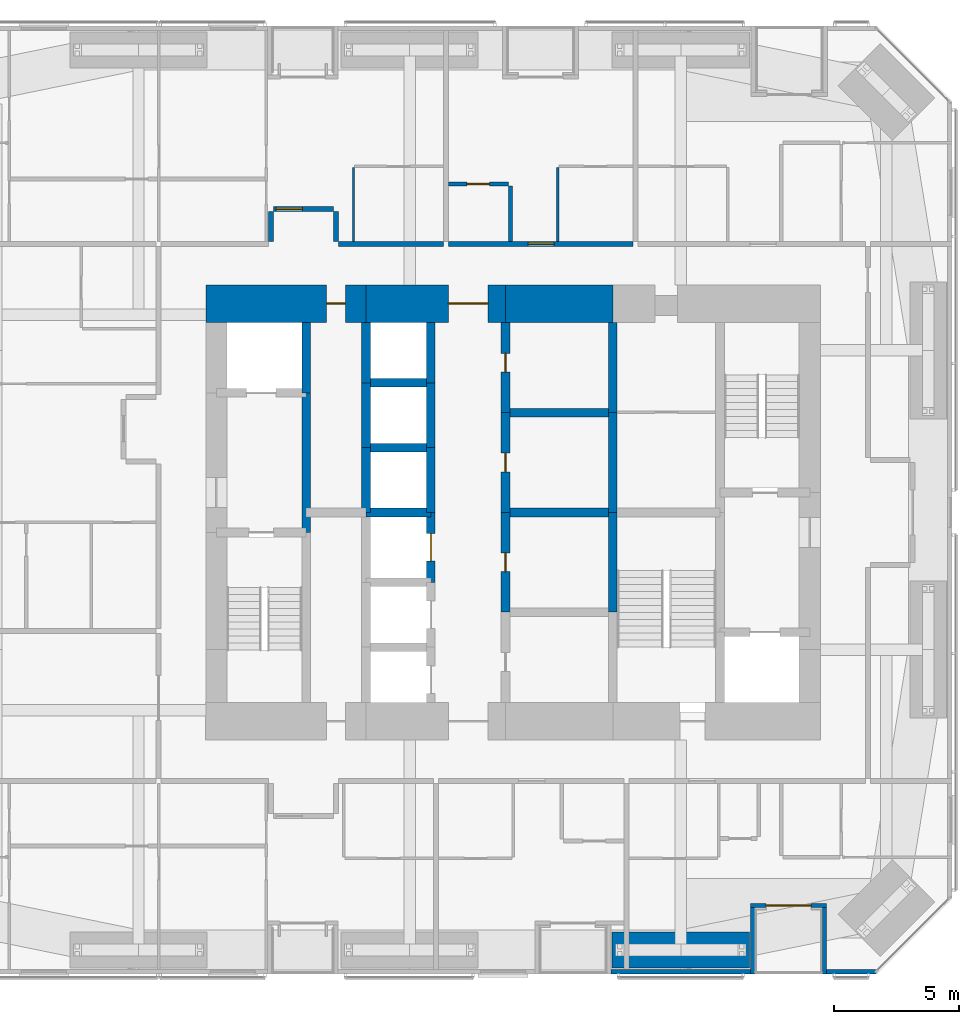
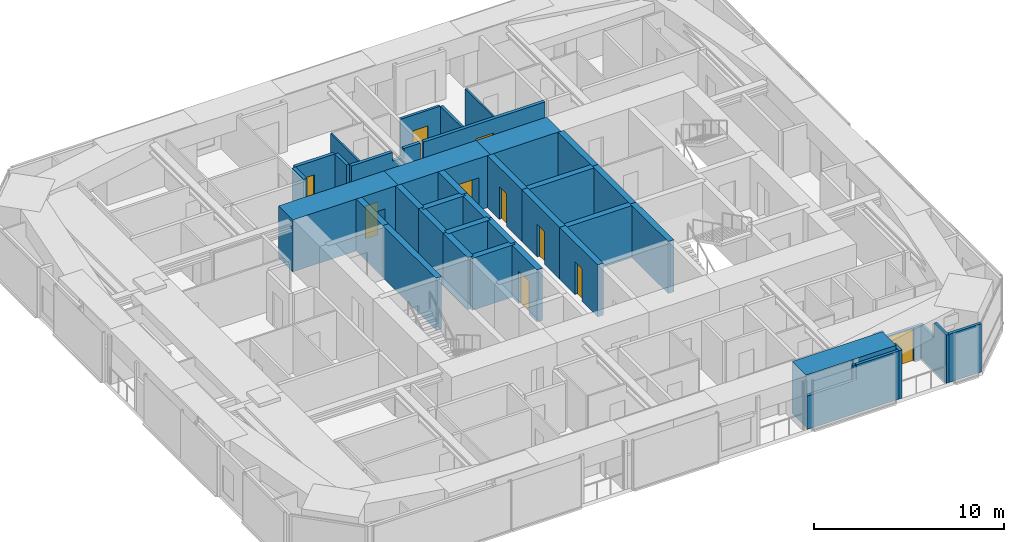
# One storey, part 20 of 25: 39 walls, 10 doors, 10 openings.
"""IFC4 building model written with IfcOpenShell, lengths in metres."""

from ifc_helpers import new_model, si_unit, direction, frame, frame_2d, origin, place, context, subcontext, project, spatial, polyline, rectangle, outline, extrude, material, layer, layer_set, constituent, constituent_set, type_object, element, fill, save


model = new_model("IFC4")

# Units and contexts
model_context = context("Model", 3, precision=1e-05, world=origin(), true_north=direction((0.0, 1.0)))
body_context = subcontext(model_context, "Body", "Model", "MODEL_VIEW")
ifc_project = project(units=[si_unit("LENGTHUNIT", "METRE"), si_unit("AREAUNIT", "SQUARE_METRE"), si_unit("VOLUMEUNIT", "CUBIC_METRE"), si_unit("PLANEANGLEUNIT", "RADIAN"), si_unit("MASSUNIT", "GRAM", prefix="KILO")], contexts=[model_context])

# Site, building, storey
site_placement = place(None, origin())
site = spatial("IfcSite", under=ifc_project, at=site_placement, CompositionType="ELEMENT")
building_placement = place(site_placement, origin())
building = spatial("IfcBuilding", under=site, at=building_placement, Name="Jalousie Tower", CompositionType="ELEMENT")
storey_placement = place(building_placement, frame((0.0, 0.0, 101.5)))
storey = spatial("IfcBuildingStorey", under=building, at=storey_placement, Name="L27", CompositionType="ELEMENT", Elevation=101.5)

# Wall, opening, door
ifc_material_1 = material(Name="Concrete block ASTM C90", Category="concrete")
ifc_constituent_1 = constituent(ifc_material_1, Name="Body")
ifc_material_2 = material(Name="Render")
ifc_constituent_2 = constituent(ifc_material_2, Name="Finish")
ifc_constituent_set_1 = constituent_set(constituents=[ifc_constituent_1, ifc_constituent_2])
wall_type_1 = type_object("IfcWallType", Name="BATHROOM WALL 150", PredefinedType="PLUMBINGWALL", material=ifc_constituent_set_1)
wall_1_placement = place(storey_placement, frame((29.300048828125, 31.675048828125, 0.0), z_axis=(0.0, 0.0, 1.0), x_axis=(1.0, 0.0, 0.0)))
wall_1 = element("IfcWall", 1, at=wall_1_placement, inside=storey, type_object=wall_type_1, Name="Bathroom Wall 150 L27", PredefinedType="PLUMBINGWALL", context=body_context, shape_type="SweptSolid", body=[
    extrude(rectangle(XDim=2.425048828125, YDim=0.14990234375, at=frame_2d((1.21240234375, 0.0))), origin(), (0.0, 0.0, 1.0), 3.110107421875),
])
opening_1_placement = place(wall_1_placement, frame((0.75, 0.0, 0.0)))
opening_1 = element("IfcOpeningElement", 2, at=opening_1_placement, cuts=wall_1, Name="Opening D3", PredefinedType="OPENING", context=body_context, shape_type="SweptSolid", body=[
    extrude(rectangle(XDim=0.89990234375, YDim=2.10009765625, at=frame_2d((0.449951171875, 1.050048828125))), frame((0.0, 0.0849609375, 0.0), z_axis=(0.0, -1.0, 0.0), x_axis=(1.0, 0.0, 0.0)), (0.0, 0.0, 1.0), 0.169921875),
])
ifc_material_3 = material(Name="Timber door", Category="wood")
door_type_1 = type_object("IfcDoorType", Name="BATHROOM DOOR 900", OperationType="SINGLE_SWING_LEFT", PredefinedType="DOOR", material=ifc_material_3)
door_1_placement = place(opening_1_placement, frame((0.89990234375, 0.0, 0.0), z_axis=(0.0, 0.0, 1.0), x_axis=(-1.0, 0.0, 0.0)))
door_1 = element("IfcDoor", 3, at=door_1_placement, inside=storey, type_object=door_type_1, Name="Apartment 2705 bathroom door", OperationType="SINGLE_SWING_RIGHT", OverallHeight=2.10009765625, OverallWidth=0.89990234375, PredefinedType="DOOR", context=body_context, shape_type="SweptSolid", body=[
    extrude(rectangle(XDim=0.89990234375, YDim=2.10009765625, at=frame_2d((0.449951171875, 1.050048828125))), frame((0.0, 0.02490234375, 0.0), z_axis=(0.0, -1.0, 0.0), x_axis=(1.0, 0.0, 0.0)), (0.0, 0.0, 1.0), 0.050048828125),
])
fill(opening_1, door_1)

# Walls
wall_2_placement = place(storey_placement, frame((31.800048828125, 31.60009765625, 0.0), z_axis=(0.0, 0.0, 1.0), x_axis=(0.0, -1.0, 0.0)))
element("IfcWall", 4, at=wall_2_placement, inside=storey, type_object=wall_type_1, Name="Bathroom Wall 150 L27", PredefinedType="PLUMBINGWALL", context=body_context, shape_type="SweptSolid", body=[
    extrude(rectangle(XDim=2.22509765625, YDim=0.14990234375, at=frame_2d((1.112548828125, 0.0))), origin(), (0.0, 0.0, 1.0), 3.110107421875),
])
ifc_material_4 = material(Name="Concrete f'c 120 MPa", Category="concrete")
ifc_layer_1 = layer(ifc_material_4, 1.5)
ifc_layer_set_1 = layer_set([ifc_layer_1], Name="Concrete f'c 120 MPa")
wall_type_2 = type_object("IfcWallType", Name="CORE WALL 1500", PredefinedType="SHEAR", material=ifc_layer_set_1)
wall_3_placement = place(storey_placement, frame((35.89990234375, 26.875, 0.0), z_axis=(0.0, 0.0, 1.0), x_axis=(-1.0, 0.0, 0.0)))
element("IfcWall", 5, at=wall_3_placement, inside=storey, type_object=wall_type_2, Name="Core wall NB L27", PredefinedType="SHEAR", context=body_context, shape_type="SweptSolid", body=[
    extrude(rectangle(XDim=4.2998046875, YDim=1.5, at=frame_2d((2.14990234375, 0.0))), origin(), (0.0, 0.0, 1.0), 3.35009765625),
])

# Wall, opening, door
wall_4_placement = place(storey_placement, frame((31.60009765625, 26.875, 0.0), z_axis=(0.0, 0.0, 1.0), x_axis=(-1.0, 0.0, 0.0)))
wall_4 = element("IfcWall", 6, at=wall_4_placement, inside=storey, type_object=wall_type_2, Name="Core wall NC L27", PredefinedType="SHEAR", context=body_context, shape_type="SweptSolid", body=[
    extrude(rectangle(XDim=5.60009765625, YDim=1.5, at=frame_2d((2.800048828125, 0.0))), origin(), (0.0, 0.0, 1.0), 3.35009765625),
])
opening_2_placement = place(wall_4_placement, frame((0.699951171875, 0.0, 0.0)))
opening_2 = element("IfcOpeningElement", 7, at=opening_2_placement, cuts=wall_4, Name="Opening D15", PredefinedType="OPENING", context=body_context, shape_type="SweptSolid", body=[
    extrude(rectangle(XDim=1.60009765625, YDim=2.10009765625, at=frame_2d((0.800048828125, 1.050048828125))), frame((0.0, 0.760009765625, 0.0), z_axis=(0.0, -1.0, 0.0), x_axis=(1.0, 0.0, 0.0)), (0.0, 0.0, 1.0), 1.52001953125),
])
ifc_material_5 = material(Name="Steel fire door", Category="steel")
door_type_2 = type_object("IfcDoorType", Name="LIFT LOBBY DOOR 1600", OperationType="DOUBLE_DOOR_SINGLE_SWING", PredefinedType="DOOR", material=ifc_material_5)
door_2_placement = place(opening_2_placement, origin())
door_2 = element("IfcDoor", 8, at=door_2_placement, inside=storey, type_object=door_type_2, Name="Lift lobby north door", OperationType="DOUBLE_DOOR_SINGLE_SWING", OverallHeight=2.10009765625, OverallWidth=1.60009765625, PredefinedType="DOOR", context=body_context, shape_type="SweptSolid", body=[
    extrude(rectangle(XDim=1.60009765625, YDim=2.10009765625, at=frame_2d((0.800048828125, 1.050048828125))), frame((0.0, 0.02490234375, 0.0), z_axis=(0.0, -1.0, 0.0), x_axis=(1.0, 0.0, 0.0)), (0.0, 0.0, 1.0), 0.050048828125),
])
fill(opening_2, door_2)

wall_5_placement = place(storey_placement, frame((26.0, 26.875, 0.0), z_axis=(0.0, 0.0, 1.0), x_axis=(-1.0, 0.0, 0.0)))
wall_5 = element("IfcWall", 9, at=wall_5_placement, inside=storey, type_object=wall_type_2, Name="Core wall ND L27", PredefinedType="SHEAR", context=body_context, shape_type="SweptSolid", body=[
    extrude(rectangle(XDim=6.425048828125, YDim=1.5, at=frame_2d((3.21240234375, 0.0))), origin(), (0.0, 0.0, 1.0), 3.35009765625),
])
opening_3_placement = place(wall_5_placement, frame((0.824951171875, 0.0, 0.0)))
opening_3 = element("IfcOpeningElement", 10, at=opening_3_placement, cuts=wall_5, Name="Opening D16", PredefinedType="OPENING", context=body_context, shape_type="SweptSolid", body=[
    extrude(rectangle(XDim=0.75, YDim=2.10009765625, at=frame_2d((0.375, 1.050048828125))), frame((0.0, 0.760009765625, 0.0), z_axis=(0.0, -1.0, 0.0), x_axis=(1.0, 0.0, 0.0)), (0.0, 0.0, 1.0), 1.52001953125),
])
ifc_material_6 = material(Name="Steel fire door", Category="steel")
door_type_3 = type_object("IfcDoorType", Name="RISER DOOR 750", OperationType="SINGLE_SWING_LEFT", PredefinedType="DOOR", material=ifc_material_6)
door_3_placement = place(opening_3_placement, origin())
door_3 = element("IfcDoor", 11, at=door_3_placement, inside=storey, type_object=door_type_3, Name="North riser door", OperationType="SINGLE_SWING_RIGHT", OverallHeight=2.10009765625, OverallWidth=0.75, PredefinedType="DOOR", context=body_context, shape_type="SweptSolid", body=[
    extrude(rectangle(XDim=0.75, YDim=2.10009765625, at=frame_2d((0.375, 1.050048828125))), frame((0.0, 0.02490234375, 0.0), z_axis=(0.0, -1.0, 0.0), x_axis=(1.0, 0.0, 0.0)), (0.0, 0.0, 1.0), 0.050048828125),
])
fill(opening_3, door_3)

# Walls
ifc_material_7 = material(Name="Concrete f'c 120 MPa", Category="concrete")
ifc_layer_2 = layer(ifc_material_7, 0.35009765625)
ifc_layer_set_2 = layer_set([ifc_layer_2], Name="Concrete f'c 120 MPa")
wall_type_3 = type_object("IfcWallType", Name="CORE WALL 350", PredefinedType="SHEAR", material=ifc_layer_set_2)
wall_6_placement = place(storey_placement, frame((23.60009765625, 17.699951171875, 0.0), z_axis=(0.0, 0.0, 1.0), x_axis=(0.0, 1.0, 0.0)))
element("IfcWall", 12, at=wall_6_placement, inside=storey, type_object=wall_type_3, Name="Core wall X23.6B L27", PredefinedType="SHEAR", context=body_context, shape_type="SweptSolid", body=[
    extrude(rectangle(XDim=5.60009765625, YDim=0.35009765625, at=frame_2d((2.800048828125, 0.0))), origin(), (0.0, 0.0, 1.0), 3.35009765625),
])
wall_7_placement = place(storey_placement, frame((23.60009765625, 23.300048828125, 0.0), z_axis=(0.0, 0.0, 1.0), x_axis=(0.0, 1.0, 0.0)))
element("IfcWall", 13, at=wall_7_placement, inside=storey, type_object=wall_type_3, Name="Core wall X23.6C L27", PredefinedType="SHEAR", context=body_context, shape_type="SweptSolid", body=[
    extrude(rectangle(XDim=2.824951171875, YDim=0.35009765625, at=frame_2d((1.41259765625, 0.0))), origin(), (0.0, 0.0, 1.0), 3.35009765625),
])
wall_8_placement = place(storey_placement, frame((26.0, 18.5, 0.0), z_axis=(0.0, 0.0, 1.0), x_axis=(0.0, 1.0, 0.0)))
element("IfcWall", 14, at=wall_8_placement, inside=storey, type_object=wall_type_3, Name="Core wall X26D L27", PredefinedType="SHEAR", context=body_context, shape_type="SweptSolid", body=[
    extrude(rectangle(XDim=2.60009765625, YDim=0.35009765625, at=frame_2d((1.300048828125, 0.0))), origin(), (0.0, 0.0, 1.0), 3.35009765625),
])
wall_9_placement = place(storey_placement, frame((26.0, 21.10009765625, 0.0), z_axis=(0.0, 0.0, 1.0), x_axis=(0.0, 1.0, 0.0)))
element("IfcWall", 15, at=wall_9_placement, inside=storey, type_object=wall_type_3, Name="Core wall X26E L27", PredefinedType="SHEAR", context=body_context, shape_type="SweptSolid", body=[
    extrude(rectangle(XDim=2.599853515625, YDim=0.35009765625, at=frame_2d((1.2998046875, 0.0))), origin(), (0.0, 0.0, 1.0), 3.35009765625),
])
wall_10_placement = place(storey_placement, frame((26.0, 23.699951171875, 0.0), z_axis=(0.0, 0.0, 1.0), x_axis=(0.0, 1.0, 0.0)))
element("IfcWall", 16, at=wall_10_placement, inside=storey, type_object=wall_type_3, Name="Core wall X26F L27", PredefinedType="SHEAR", context=body_context, shape_type="SweptSolid", body=[
    extrude(rectangle(XDim=2.425048828125, YDim=0.35009765625, at=frame_2d((1.21240234375, 0.0))), origin(), (0.0, 0.0, 1.0), 3.35009765625),
])

# Wall, opening, door
wall_11_placement = place(storey_placement, frame((28.60009765625, 15.699951171875, 0.0), z_axis=(0.0, 0.0, 1.0), x_axis=(0.0, 1.0, 0.0)))
wall_11 = element("IfcWall", 17, at=wall_11_placement, inside=storey, type_object=wall_type_3, Name="Core wall X28.6C L27", PredefinedType="SHEAR", context=body_context, shape_type="SweptSolid", body=[
    extrude(rectangle(XDim=2.800048828125, YDim=0.35009765625, at=frame_2d((1.39990234375, 0.0))), origin(), (0.0, 0.0, 1.0), 3.35009765625),
])
opening_4_placement = place(wall_11_placement, frame((0.85009765625, 0.0, 0.0)))
opening_4 = element("IfcOpeningElement", 18, at=opening_4_placement, cuts=wall_11, Name="Opening LD1", PredefinedType="OPENING", context=body_context, shape_type="SweptSolid", body=[
    extrude(rectangle(XDim=1.10009765625, YDim=2.10009765625, at=frame_2d((0.550048828125, 1.050048828125))), frame((0.0, 0.18505859375, 0.0), z_axis=(0.0, -1.0, 0.0), x_axis=(1.0, 0.0, 0.0)), (0.0, 0.0, 1.0), 0.3701171875),
])
ifc_material_8 = material(Name="Steel lift landing door", Category="steel")
door_type_4 = type_object("IfcDoorType", Name="LIFT LANDING DOOR 1100", OperationType="SLIDING_TO_LEFT", PredefinedType="DOOR", material=ifc_material_8)
door_4_placement = place(opening_4_placement, origin())
door_4 = element("IfcDoor", 19, at=door_4_placement, inside=storey, type_object=door_type_4, Name="Lift P3 landing door", OperationType="SLIDING_TO_LEFT", OverallHeight=2.10009765625, OverallWidth=1.10009765625, PredefinedType="DOOR", context=body_context, shape_type="SweptSolid", body=[
    extrude(rectangle(XDim=1.10009765625, YDim=2.10009765625, at=frame_2d((0.550048828125, 1.050048828125))), frame((0.0, 0.02490234375, 0.0), z_axis=(0.0, -1.0, 0.0), x_axis=(1.0, 0.0, 0.0)), (0.0, 0.0, 1.0), 0.050048828125),
])
fill(opening_4, door_4)

# Walls
wall_12_placement = place(storey_placement, frame((28.60009765625, 18.5, 0.0), z_axis=(0.0, 0.0, 1.0), x_axis=(0.0, 1.0, 0.0)))
element("IfcWall", 20, at=wall_12_placement, inside=storey, type_object=wall_type_3, Name="Core wall X28.6D L27", PredefinedType="SHEAR", context=body_context, shape_type="SweptSolid", body=[
    extrude(rectangle(XDim=2.60009765625, YDim=0.35009765625, at=frame_2d((1.300048828125, 0.0))), origin(), (0.0, 0.0, 1.0), 3.35009765625),
])
wall_13_placement = place(storey_placement, frame((28.60009765625, 21.10009765625, 0.0), z_axis=(0.0, 0.0, 1.0), x_axis=(0.0, 1.0, 0.0)))
element("IfcWall", 21, at=wall_13_placement, inside=storey, type_object=wall_type_3, Name="Core wall X28.6E L27", PredefinedType="SHEAR", context=body_context, shape_type="SweptSolid", body=[
    extrude(rectangle(XDim=2.599853515625, YDim=0.35009765625, at=frame_2d((1.2998046875, 0.0))), origin(), (0.0, 0.0, 1.0), 3.35009765625),
])
wall_14_placement = place(storey_placement, frame((28.60009765625, 23.699951171875, 0.0), z_axis=(0.0, 0.0, 1.0), x_axis=(0.0, 1.0, 0.0)))
element("IfcWall", 22, at=wall_14_placement, inside=storey, type_object=wall_type_3, Name="Core wall X28.6F L27", PredefinedType="SHEAR", context=body_context, shape_type="SweptSolid", body=[
    extrude(rectangle(XDim=2.425048828125, YDim=0.35009765625, at=frame_2d((1.21240234375, 0.0))), origin(), (0.0, 0.0, 1.0), 3.35009765625),
])

# Wall, opening, door
wall_15_placement = place(storey_placement, frame((31.60009765625, 14.5, 0.0), z_axis=(0.0, 0.0, 1.0), x_axis=(0.0, 1.0, 0.0)))
wall_15 = element("IfcWall", 23, at=wall_15_placement, inside=storey, type_object=wall_type_3, Name="Core wall X31.6B L27", PredefinedType="SHEAR", context=body_context, shape_type="SweptSolid", body=[
    extrude(rectangle(XDim=4.0, YDim=0.35009765625, at=frame_2d((2.0, 0.0))), origin(), (0.0, 0.0, 1.0), 3.35009765625),
])
opening_5_placement = place(wall_15_placement, frame((1.625, 0.0, 0.0)))
opening_5 = element("IfcOpeningElement", 24, at=opening_5_placement, cuts=wall_15, Name="Opening D16", PredefinedType="OPENING", context=body_context, shape_type="SweptSolid", body=[
    extrude(rectangle(XDim=0.75, YDim=2.10009765625, at=frame_2d((0.375, 1.050048828125))), frame((0.0, 0.18505859375, 0.0), z_axis=(0.0, -1.0, 0.0), x_axis=(1.0, 0.0, 0.0)), (0.0, 0.0, 1.0), 0.3701171875),
])
door_5_placement = place(opening_5_placement, frame((0.75, 0.0, 0.0), z_axis=(0.0, 0.0, 1.0), x_axis=(-1.0, 0.0, 0.0)))
door_5 = element("IfcDoor", 25, at=door_5_placement, inside=storey, type_object=door_type_3, Name="Electrical Room door", OperationType="SINGLE_SWING_RIGHT", OverallHeight=2.10009765625, OverallWidth=0.75, PredefinedType="DOOR", context=body_context, shape_type="SweptSolid", body=[
    extrude(rectangle(XDim=0.75, YDim=2.10009765625, at=frame_2d((0.375, 1.050048828125))), frame((0.0, 0.02490234375, 0.0), z_axis=(0.0, -1.0, 0.0), x_axis=(1.0, 0.0, 0.0)), (0.0, 0.0, 1.0), 0.050048828125),
])
fill(opening_5, door_5)

wall_16_placement = place(storey_placement, frame((31.60009765625, 18.5, 0.0), z_axis=(0.0, 0.0, 1.0), x_axis=(0.0, 1.0, 0.0)))
wall_16 = element("IfcWall", 26, at=wall_16_placement, inside=storey, type_object=wall_type_3, Name="Core wall X31.6C L27", PredefinedType="SHEAR", context=body_context, shape_type="SweptSolid", body=[
    extrude(rectangle(XDim=4.0, YDim=0.35009765625, at=frame_2d((2.0, 0.0))), origin(), (0.0, 0.0, 1.0), 3.35009765625),
])
opening_6_placement = place(wall_16_placement, frame((1.625, 0.0, 0.0)))
opening_6 = element("IfcOpeningElement", 27, at=opening_6_placement, cuts=wall_16, Name="Opening D16", PredefinedType="OPENING", context=body_context, shape_type="SweptSolid", body=[
    extrude(rectangle(XDim=0.75, YDim=2.10009765625, at=frame_2d((0.375, 1.050048828125))), frame((0.0, 0.18505859375, 0.0), z_axis=(0.0, -1.0, 0.0), x_axis=(1.0, 0.0, 0.0)), (0.0, 0.0, 1.0), 0.3701171875),
])
door_6_placement = place(opening_6_placement, frame((0.75, 0.0, 0.0), z_axis=(0.0, 0.0, 1.0), x_axis=(-1.0, 0.0, 0.0)))
door_6 = element("IfcDoor", 28, at=door_6_placement, inside=storey, type_object=door_type_3, Name="Telecom Room door", OperationType="SINGLE_SWING_RIGHT", OverallHeight=2.10009765625, OverallWidth=0.75, PredefinedType="DOOR", context=body_context, shape_type="SweptSolid", body=[
    extrude(rectangle(XDim=0.75, YDim=2.10009765625, at=frame_2d((0.375, 1.050048828125))), frame((0.0, 0.02490234375, 0.0), z_axis=(0.0, -1.0, 0.0), x_axis=(1.0, 0.0, 0.0)), (0.0, 0.0, 1.0), 0.050048828125),
])
fill(opening_6, door_6)

wall_17_placement = place(storey_placement, frame((31.60009765625, 22.5, 0.0), z_axis=(0.0, 0.0, 1.0), x_axis=(0.0, 1.0, 0.0)))
wall_17 = element("IfcWall", 29, at=wall_17_placement, inside=storey, type_object=wall_type_3, Name="Core wall X31.6D L27", PredefinedType="SHEAR", context=body_context, shape_type="SweptSolid", body=[
    extrude(rectangle(XDim=3.625, YDim=0.35009765625, at=frame_2d((1.8125, 0.0))), origin(), (0.0, 0.0, 1.0), 3.35009765625),
])
opening_7_placement = place(wall_17_placement, frame((1.625, 0.0, 0.0)))
opening_7 = element("IfcOpeningElement", 30, at=opening_7_placement, cuts=wall_17, Name="Opening D16", PredefinedType="OPENING", context=body_context, shape_type="SweptSolid", body=[
    extrude(rectangle(XDim=0.75, YDim=2.10009765625, at=frame_2d((0.375, 1.050048828125))), frame((0.0, 0.18505859375, 0.0), z_axis=(0.0, -1.0, 0.0), x_axis=(1.0, 0.0, 0.0)), (0.0, 0.0, 1.0), 0.3701171875),
])
door_7_placement = place(opening_7_placement, frame((0.75, 0.0, 0.0), z_axis=(0.0, 0.0, 1.0), x_axis=(-1.0, 0.0, 0.0)))
door_7 = element("IfcDoor", 31, at=door_7_placement, inside=storey, type_object=door_type_3, Name="Water Services Room door", OperationType="SINGLE_SWING_LEFT", OverallHeight=2.10009765625, OverallWidth=0.75, PredefinedType="DOOR", context=body_context, shape_type="SweptSolid", body=[
    extrude(rectangle(XDim=0.75, YDim=2.10009765625, at=frame_2d((0.375, 1.050048828125))), frame((0.0, 0.02490234375, 0.0), z_axis=(0.0, -1.0, 0.0), x_axis=(1.0, 0.0, 0.0)), (0.0, 0.0, 1.0), 0.050048828125),
])
fill(opening_7, door_7)

# Walls
for number, where, z_axis, x_axis, name in (
    (32, (35.89990234375, 14.5, 0.0), (0.0, 0.0, 1.0), (0.0, 1.0, 0.0), "Core wall X35.9B L27"),
    (33, (35.89990234375, 18.5, 0.0), (0.0, 0.0, 1.0), (0.0, 1.0, 0.0), "Core wall X35.9C L27"),
):
    element("IfcWall", number, at=place(storey_placement, frame(where, z_axis=z_axis, x_axis=x_axis)), inside=storey, type_object=wall_type_3, Name=name, PredefinedType="SHEAR", context=body_context, shape_type="SweptSolid", body=[
        extrude(rectangle(XDim=4.0, YDim=0.35009765625, at=frame_2d((2.0, 0.0))), origin(), (0.0, 0.0, 1.0), 3.35009765625),
    ])
wall_18_placement = place(storey_placement, frame((35.89990234375, 22.5, 0.0), z_axis=(0.0, 0.0, 1.0), x_axis=(0.0, 1.0, 0.0)))
element("IfcWall", 34, at=wall_18_placement, inside=storey, type_object=wall_type_3, Name="Core wall X35.9D L27", PredefinedType="SHEAR", context=body_context, shape_type="SweptSolid", body=[
    extrude(rectangle(XDim=3.625, YDim=0.35009765625, at=frame_2d((1.8125, 0.0))), origin(), (0.0, 0.0, 1.0), 3.35009765625),
])
for number, where, z_axis, x_axis, name in (
    (35, (26.0, 18.5, 0.0), (0.0, 0.0, 1.0), (1.0, 0.0, 0.0), "Core wall Y26-18.5 L27"),
    (36, (26.0, 21.10009765625, 0.0), (0.0, 0.0, 1.0), (1.0, 0.0, 0.0), "Core wall Y26-21.1 L27"),
    (37, (26.0, 23.699951171875, 0.0), (0.0, 0.0, 1.0), (1.0, 0.0, 0.0), "Core wall Y26-23.7 L27"),
):
    element("IfcWall", number, at=place(storey_placement, frame(where, z_axis=z_axis, x_axis=x_axis)), inside=storey, type_object=wall_type_3, Name=name, PredefinedType="SHEAR", context=body_context, shape_type="SweptSolid", body=[
        extrude(rectangle(XDim=2.60009765625, YDim=0.35009765625, at=frame_2d((1.300048828125, 0.0))), origin(), (0.0, 0.0, 1.0), 3.35009765625),
    ])
for number, where, z_axis, x_axis, name in (
    (38, (31.60009765625, 18.5, 0.0), (0.0, 0.0, 1.0), (1.0, 0.0, 0.0), "Core wall Y31.6-18.5 L27"),
    (39, (31.60009765625, 22.5, 0.0), (0.0, 0.0, 1.0), (1.0, 0.0, 0.0), "Core wall Y31.6-22.5 L27"),
):
    element("IfcWall", number, at=place(storey_placement, frame(where, z_axis=z_axis, x_axis=x_axis)), inside=storey, type_object=wall_type_3, Name=name, PredefinedType="SHEAR", context=body_context, shape_type="SweptSolid", body=[
        extrude(rectangle(XDim=4.2998046875, YDim=0.35009765625, at=frame_2d((2.14990234375, 0.0))), origin(), (0.0, 0.0, 1.0), 3.35009765625),
    ])

# Wall, opening, door
ifc_material_9 = material(Name="Concrete block ASTM C90", Category="concrete")
ifc_constituent_3 = constituent(ifc_material_9, Name="Body")
ifc_material_10 = material(Name="Render")
ifc_constituent_4 = constituent(ifc_material_10, Name="Finish")
ifc_constituent_set_2 = constituent_set(constituents=[ifc_constituent_3, ifc_constituent_4])
wall_type_4 = type_object("IfcWallType", Name="CORRIDOR WALL 200", PredefinedType="PARTITIONING", material=ifc_constituent_set_2)
wall_19_placement = place(storey_placement, frame((29.300048828125, 29.27490234375, 0.0), z_axis=(0.0, 0.0, 1.0), x_axis=(1.0, 0.0, 0.0)))
wall_19 = element("IfcWall", 40, at=wall_19_placement, inside=storey, type_object=wall_type_4, Name="Corridor Wall 200 L27", PredefinedType="PARTITIONING", context=body_context, shape_type="SweptSolid", body=[
    extrude(rectangle(XDim=7.39990234375, YDim=0.199951171875, at=frame_2d((3.699951171875, 0.0))), origin(), (0.0, 0.0, 1.0), 3.110107421875),
])
opening_8_placement = place(wall_19_placement, frame((3.199951171875, 0.0, 0.0)))
opening_8 = element("IfcOpeningElement", 41, at=opening_8_placement, cuts=wall_19, Name="Opening D1", PredefinedType="OPENING", context=body_context, shape_type="SweptSolid", body=[
    extrude(rectangle(XDim=1.050048828125, YDim=2.199951171875, at=frame_2d((0.52490234375, 1.10009765625))), frame((0.0, 0.10986328125, 0.0), z_axis=(0.0, -1.0, 0.0), x_axis=(1.0, 0.0, 0.0)), (0.0, 0.0, 1.0), 0.219970703125),
])
ifc_material_11 = material(Name="Timber fire door", Category="wood")
door_type_5 = type_object("IfcDoorType", Name="APARTMENT ENTRANCE DOOR 1050", OperationType="SINGLE_SWING_LEFT", PredefinedType="DOOR", material=ifc_material_11)
door_8_placement = place(opening_8_placement, origin())
door_8 = element("IfcDoor", 42, at=door_8_placement, inside=storey, type_object=door_type_5, Name="Apartment 2705 entrance", OperationType="SINGLE_SWING_RIGHT", OverallHeight=2.199951171875, OverallWidth=1.050048828125, PredefinedType="DOOR", context=body_context, shape_type="SweptSolid", body=[
    extrude(rectangle(XDim=1.050048828125, YDim=2.199951171875, at=frame_2d((0.52490234375, 1.10009765625))), frame((0.0, 0.02490234375, 0.0), z_axis=(0.0, -1.0, 0.0), x_axis=(1.0, 0.0, 0.0)), (0.0, 0.0, 1.0), 0.050048828125),
])
fill(opening_8, door_8)

# Wall
wall_20_placement = place(storey_placement, frame((24.89990234375, 29.27490234375, 0.0), z_axis=(0.0, 0.0, 1.0), x_axis=(1.0, 0.0, 0.0)))
element("IfcWall", 43, at=wall_20_placement, inside=storey, type_object=wall_type_4, Name="Corridor Wall 200 L27", PredefinedType="PARTITIONING", context=body_context, shape_type="SweptSolid", body=[
    extrude(outline(polyline([(0.0, 0.0), (4.2001953125, 0.0), (4.199951171875, 3.110107421875), (3.187255859375, 3.110107421875), (3.187255859375, 2.541015625), (2.5126953125, 2.541015625), (2.5126953125, 3.110107421875), (0.0, 3.110107421875), (0.0, 0.0)])), frame((0.0, 0.10009765625, 0.0), z_axis=(0.0, -1.0, 0.0), x_axis=(1.0, 0.0, 0.0)), (0.0, 0.0, 1.0), 0.199951171875),
])

# Wall, opening, door
wall_21_placement = place(storey_placement, frame((22.300048828125, 30.675048828125, 0.0), z_axis=(0.0, 0.0, 1.0), x_axis=(1.0, 0.0, 0.0)))
wall_21 = element("IfcWall", 44, at=wall_21_placement, inside=storey, type_object=wall_type_4, Name="Corridor Wall 200 L27", PredefinedType="PARTITIONING", context=body_context, shape_type="SweptSolid", body=[
    extrude(rectangle(XDim=2.39990234375, YDim=0.199951171875, at=frame_2d((1.199951171875, 0.0))), origin(), (0.0, 0.0, 1.0), 3.110107421875),
])
opening_9_placement = place(wall_21_placement, frame((0.10009765625, 0.0, 0.0)))
opening_9 = element("IfcOpeningElement", 45, at=opening_9_placement, cuts=wall_21, Name="Opening D1", PredefinedType="OPENING", context=body_context, shape_type="SweptSolid", body=[
    extrude(rectangle(XDim=1.050048828125, YDim=2.199951171875, at=frame_2d((0.52490234375, 1.10009765625))), frame((0.0, 0.10986328125, 0.0), z_axis=(0.0, -1.0, 0.0), x_axis=(1.0, 0.0, 0.0)), (0.0, 0.0, 1.0), 0.219970703125),
])
door_9_placement = place(opening_9_placement, origin())
door_9 = element("IfcDoor", 46, at=door_9_placement, inside=storey, type_object=door_type_5, Name="Apartment 2704 entrance", OperationType="SINGLE_SWING_LEFT", OverallHeight=2.199951171875, OverallWidth=1.050048828125, PredefinedType="DOOR", context=body_context, shape_type="SweptSolid", body=[
    extrude(rectangle(XDim=1.050048828125, YDim=2.199951171875, at=frame_2d((0.52490234375, 1.10009765625))), frame((0.0, 0.02490234375, 0.0), z_axis=(0.0, -1.0, 0.0), x_axis=(1.0, 0.0, 0.0)), (0.0, 0.0, 1.0), 0.050048828125),
])
fill(opening_9, door_9)

# Walls
for number, where, z_axis, x_axis, name in (
    (47, (22.199951171875, 29.375, 0.0), (0.0, 0.0, 1.0), (0.0, 1.0, 0.0), "Corridor Wall 200 L27"),
    (48, (24.800048828125, 29.375, 0.0), (0.0, 0.0, 1.0), (0.0, 1.0, 0.0), "Corridor Wall 200 L27"),
):
    element("IfcWall", number, at=place(storey_placement, frame(where, z_axis=z_axis, x_axis=x_axis)), inside=storey, type_object=wall_type_4, Name=name, PredefinedType="PARTITIONING", context=body_context, shape_type="SweptSolid", body=[
        extrude(rectangle(XDim=1.199951171875, YDim=0.199951171875, at=frame_2d((0.60009765625, 0.0))), origin(), (0.0, 0.0, 1.0), 3.110107421875),
    ])
ifc_material_12 = material(Name="Concrete f'c 40 MPa", Category="concrete")
ifc_constituent_5 = constituent(ifc_material_12, Name="Body")
ifc_material_13 = material(Name="Render, pastel sea green")
ifc_constituent_6 = constituent(ifc_material_13, Name="Finish")
ifc_constituent_set_3 = constituent_set(constituents=[ifc_constituent_5, ifc_constituent_6])
wall_type_5 = type_object("IfcWallType", Name="EXTERNAL WALL 175 SEA GREEN RENDER", PredefinedType="SOLIDWALL", material=ifc_constituent_set_3)
wall_22_placement = place(storey_placement, frame((35.824951171875, 0.08740234375, 0.0), z_axis=(0.0, 0.0, 1.0), x_axis=(1.0, 0.0, 0.0)))
element("IfcWall", 49, at=wall_22_placement, inside=storey, type_object=wall_type_5, Name="External Wall 175 Sea Green Render L27", PredefinedType="SOLIDWALL", context=body_context, shape_type="SweptSolid", body=[
    extrude(outline(polyline([(0.0, 0.0), (5.60009765625, 0.0), (5.60009765625, 3.110107421875), (3.00341796875, 3.110107421875), (3.00341796875, 2.14990234375), (2.9580078125, 2.14990234375), (2.9580078125, 3.110107421875), (2.800048828125, 3.110107421875), (2.800048828125, 2.14990234375), (0.0, 2.14990234375), (0.0, 0.0)])), frame((0.0, 0.08740234375, 0.0), z_axis=(0.0, -1.0, 0.0), x_axis=(1.0, 0.0, 0.0)), (0.0, 0.0, 1.0), 0.175048828125),
])
wall_23_placement = place(storey_placement, frame((44.47509765625, 0.08740234375, 0.0), z_axis=(0.0, 0.0, 1.0), x_axis=(1.0, 0.0, 0.0)))
element("IfcWall", 50, at=wall_23_placement, inside=storey, type_object=wall_type_5, Name="External Wall 175 Sea Green Render L27", PredefinedType="SOLIDWALL", context=body_context, shape_type="SweptSolid", body=[
    extrude(rectangle(XDim=1.9736328125, YDim=0.175048828125, at=frame_2d((0.98681640625, 0.0))), origin(), (0.0, 0.0, 1.0), 3.110107421875),
])
wall_24_placement = place(storey_placement, frame((41.425048828125, 2.737548828125, 0.0), z_axis=(0.0, 0.0, 1.0), x_axis=(1.0, 0.0, 0.0)))
element("IfcWall", 51, at=wall_24_placement, inside=storey, type_object=wall_type_5, Name="External Wall 175 Sea Green Render L27-A", PredefinedType="SOLIDWALL", context=body_context, shape_type="SweptSolid", body=[
    extrude(rectangle(XDim=0.625, YDim=0.175048828125, at=frame_2d((0.3125, 0.0))), origin(), (0.0, 0.0, 1.0), 2.510009765625),
])

# Wall, opening, door
wall_25_placement = place(storey_placement, frame((42.050048828125, 2.737548828125, 0.0), z_axis=(0.0, 0.0, 1.0), x_axis=(1.0, 0.0, 0.0)))
wall_25 = element("IfcWall", 52, at=wall_25_placement, inside=storey, type_object=wall_type_5, Name="External Wall 175 Sea Green Render L27-B", PredefinedType="SOLIDWALL", context=body_context, shape_type="SweptSolid", body=[
    extrude(rectangle(XDim=2.425048828125, YDim=0.175048828125, at=frame_2d((1.21240234375, 0.0))), origin(), (0.0, 0.0, 1.0), 2.14990234375),
])
opening_10_placement = place(wall_25_placement, origin())
opening_10 = element("IfcOpeningElement", 53, at=opening_10_placement, cuts=wall_25, Name="Opening D-BAL21", PredefinedType="OPENING", context=body_context, shape_type="SweptSolid", body=[
    extrude(rectangle(XDim=1.800048828125, YDim=2.10009765625, at=frame_2d((0.89990234375, 1.050048828125))), frame((0.0, 0.097412109375, 0.0), z_axis=(0.0, -1.0, 0.0), x_axis=(1.0, 0.0, 0.0)), (0.0, 0.0, 1.0), 0.195068359375),
])
ifc_material_14 = material(Name="Aluminium frame, impact-rated glazing", Category="aluminium")
door_type_6 = type_object("IfcDoorType", Name="BALCONY DOOR 1800x2100", OperationType="SLIDING_TO_LEFT", PredefinedType="DOOR", material=ifc_material_14)
door_10_placement = place(opening_10_placement, origin())
door_10 = element("IfcDoor", 54, at=door_10_placement, inside=storey, type_object=door_type_6, Name="Apartment 2703 living and dining room loggia door", OperationType="SLIDING_TO_LEFT", OverallHeight=2.10009765625, OverallWidth=1.800048828125, PredefinedType="DOOR", context=body_context, shape_type="SweptSolid", body=[
    extrude(rectangle(XDim=1.800048828125, YDim=2.10009765625, at=frame_2d((0.89990234375, 1.050048828125))), frame((0.0, 0.02490234375, 0.0), z_axis=(0.0, -1.0, 0.0), x_axis=(1.0, 0.0, 0.0)), (0.0, 0.0, 1.0), 0.050048828125),
])
fill(opening_10, door_10)

# Walls
wall_26_placement = place(storey_placement, frame((41.512451171875, 0.0, 0.0), z_axis=(0.0, 0.0, 1.0), x_axis=(0.0, 1.0, 0.0)))
element("IfcWall", 55, at=wall_26_placement, inside=storey, type_object=wall_type_5, Name="External Wall 175 Sea Green Render L27", PredefinedType="SOLIDWALL", context=body_context, shape_type="SweptSolid", body=[
    extrude(outline(polyline([(0.0, 0.0), (2.64990234375, 0.0), (2.64990234375, 2.510009765625), (2.373291015625, 2.510009765625), (2.373291015625, 2.14990234375), (0.70458984375, 2.14990234375), (0.70458984375, 3.110107421875), (0.0, 3.110107421875), (0.0, 0.0)])), frame((0.0, 0.08740234375, 0.0), z_axis=(0.0, -1.0, 0.0), x_axis=(1.0, 0.0, 0.0)), (0.0, 0.0, 1.0), 0.175048828125),
])
wall_27_placement = place(storey_placement, frame((44.387451171875, 0.0, 0.0), z_axis=(0.0, 0.0, 1.0), x_axis=(0.0, 1.0, 0.0)))
element("IfcWall", 56, at=wall_27_placement, inside=storey, type_object=wall_type_5, Name="External Wall 175 Sea Green Render L27", PredefinedType="SOLIDWALL", context=body_context, shape_type="SweptSolid", body=[
    extrude(outline(polyline([(0.0, 0.0), (2.64990234375, 0.0), (2.64990234375, 2.14990234375), (1.291015625, 2.14990234375), (1.291015625, 3.110107421875), (0.0, 3.110107421875), (0.0, 0.0)])), frame((0.0, 0.08740234375, 0.0), z_axis=(0.0, -1.0, 0.0), x_axis=(1.0, 0.0, 0.0)), (0.0, 0.0, 1.0), 0.175048828125),
])
ifc_material_15 = material(Name="Gypsum board", Category="gypsum")
ifc_constituent_7 = constituent(ifc_material_15, Name="Body")
ifc_material_16 = material(Name="Light-gauge steel studs ASTM A653 SS Grade 33", Category="steel")
ifc_constituent_8 = constituent(ifc_material_16, Name="Framing")
ifc_constituent_set_4 = constituent_set(constituents=[ifc_constituent_7, ifc_constituent_8])
wall_type_6 = type_object("IfcWallType", Name="PARTITION 100", PredefinedType="PARTITIONING", material=ifc_constituent_set_4)
for number, where, z_axis, x_axis, name in (
    (57, (25.5, 32.324951171875, 0.0), (0.0, 0.0, 1.0), (0.0, -1.0, 0.0), "Partition 100 L27"),
    (58, (33.699951171875, 32.324951171875, 0.0), (0.0, 0.0, 1.0), (0.0, -1.0, 0.0), "Partition 100 L27"),
):
    element("IfcWall", number, at=place(storey_placement, frame(where, z_axis=z_axis, x_axis=x_axis)), inside=storey, type_object=wall_type_6, Name=name, PredefinedType="PARTITIONING", context=body_context, shape_type="SweptSolid", body=[
        extrude(rectangle(XDim=2.949951171875, YDim=0.10009765625, at=frame_2d((1.47509765625, 0.0))), origin(), (0.0, 0.0, 1.0), 3.110107421875),
    ])
ifc_material_17 = material(Name="Concrete f'c 120 MPa", Category="concrete")
ifc_layer_3 = layer(ifc_material_17, 1.449951171875)
ifc_layer_set_3 = layer_set([ifc_layer_3], Name="Concrete f'c 120 MPa")
wall_type_7 = type_object("IfcWallType", Name="RC WALL PIER 1450", PredefinedType="SHEAR", material=ifc_layer_set_3)
wall_28_placement = place(storey_placement, frame((35.875, 0.949951171875, 0.0), z_axis=(0.0, 0.0, 1.0), x_axis=(1.0, 0.0, 0.0)))
element("IfcWall", 59, at=wall_28_placement, inside=storey, type_object=wall_type_7, Name="Wall pier 04 L27", PredefinedType="SHEAR", context=body_context, shape_type="SweptSolid", body=[
    extrude(rectangle(XDim=5.5, YDim=1.449951171875, at=frame_2d((2.75, 0.0))), origin(), (0.0, 0.0, 1.0), 3.35009765625),
])

save(model, "model.ifc")
